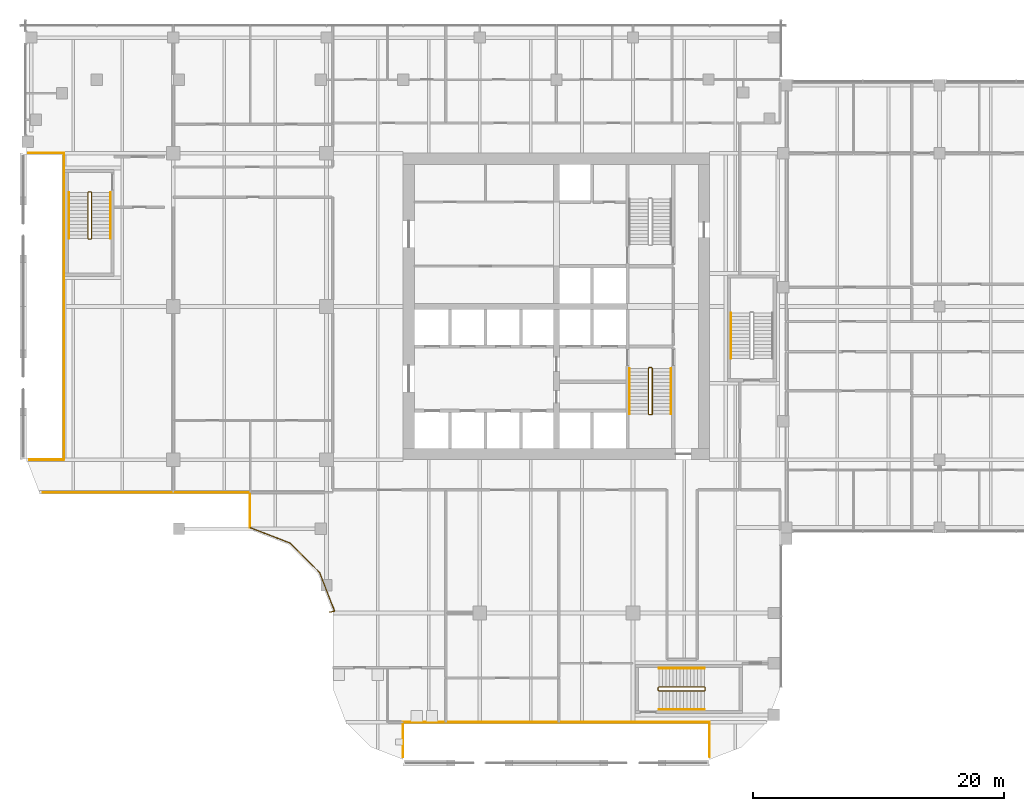
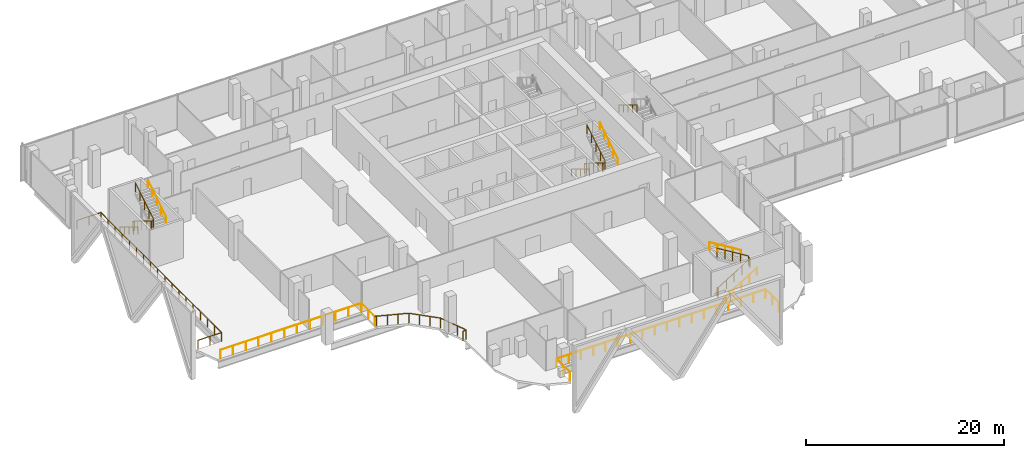
# One storey, part 31 of 33: 14 railings.
"""IFC4 building model written with IfcOpenShell, lengths in metres."""

from ifc_helpers import new_model, si_unit, direction, frame, origin, origin_2d, place, context, subcontext, project, spatial, circle, extrude, material, type_object, element, save


model = new_model("IFC4")

# Units and contexts
model_context = context("Model", 3, precision=1e-05, world=origin(), true_north=direction((0.0, 1.0)))
body_context = subcontext(model_context, "Body", "Model", "MODEL_VIEW")
ifc_project = project(units=[si_unit("LENGTHUNIT", "METRE"), si_unit("AREAUNIT", "SQUARE_METRE"), si_unit("VOLUMEUNIT", "CUBIC_METRE"), si_unit("PLANEANGLEUNIT", "RADIAN"), si_unit("MASSUNIT", "GRAM", prefix="KILO")], contexts=[model_context])

# Site, building, storey
site_placement = place(None, origin())
site = spatial("IfcSite", under=ifc_project, at=site_placement, CompositionType="ELEMENT")
building_placement = place(site_placement, origin())
building = spatial("IfcBuilding", under=site, at=building_placement, Name="Tessera Gate Towers", CompositionType="ELEMENT")
storey_placement = place(building_placement, frame((0.0, 0.0, 12.0)))
storey = spatial("IfcBuildingStorey", under=building, at=storey_placement, Name="L02", CompositionType="ELEMENT", Elevation=12.0)

# Railings
ifc_material_1 = material(Name="Stainless steel balustrade", Category="steel")
railing_type_1 = type_object("IfcRailingType", Name="GR1 guard rail", PredefinedType="GUARDRAIL", material=ifc_material_1)
railing_1_placement = place(storey_placement, frame((18.300048828125, 19.0, 0.0)))
element("IfcRailing", 1, at=railing_1_placement, inside=storey, type_object=railing_type_1, Name="Guard T1 GR-0015", PredefinedType="GUARDRAIL", context=body_context, shape_type="SweptSolid", body=[
    extrude(circle(Radius=0.02490234375, at=origin_2d()), frame((0.0, 0.0, 1.1748046875), z_axis=(0.925693852257, -0.378273567533, 0.0), x_axis=(0.378273567533, 0.925693852257, 0.0)), (0.0, 0.0, 1.0), 0.15869140625),
    extrude(circle(Radius=0.02490234375, at=origin_2d()), frame((0.14697265625, -0.06005859375, 1.1748046875), z_axis=(0.932626284153, -0.360843753039, 0.0), x_axis=(0.360843753039, 0.932626284153, 0.0)), (0.0, 0.0, 1.0), 3.280029296875),
    extrude(circle(Radius=0.02490234375, at=origin_2d()), frame((3.2060546875, -1.24365234375, 1.1748046875), z_axis=(0.707106781187, -0.707106781187, 0.0), x_axis=(0.707106781187, 0.707106781187, 0.0)), (0.0, 0.0, 1.0), 3.323974609375),
    extrude(circle(Radius=0.02490234375, at=origin_2d()), frame((5.556396484375, -3.593994140625, 1.1748046875), z_axis=(0.360868803245, -0.932616591555, 0.0), x_axis=(0.932616591555, 0.360868803245, 0.0)), (0.0, 0.0, 1.0), 3.27978515625),
    extrude(circle(Radius=0.02490234375, at=origin_2d()), frame((6.739990234375, -6.65283203125, 1.1748046875), z_axis=(-0.97933582238, -0.202240814384, 0.0), x_axis=(0.202240814384, -0.97933582238, 0.0)), (0.0, 0.0, 1.0), 0.3984375),
    extrude(circle(Radius=0.02490234375, at=origin_2d()), origin(), (0.0, 0.0, 1.0), 1.14990234375),
    extrude(circle(Radius=0.02490234375, at=origin_2d()), frame((0.14697265625, -0.06005859375, 0.0)), (0.0, 0.0, 1.0), 1.14990234375),
    extrude(circle(Radius=0.02490234375, at=origin_2d()), frame((1.166748046875, -0.45458984375, 0.0)), (0.0, 0.0, 1.0), 1.14990234375),
    extrude(circle(Radius=0.02490234375, at=origin_2d()), frame((2.186279296875, -0.84912109375, 0.0)), (0.0, 0.0, 1.0), 1.14990234375),
    extrude(circle(Radius=0.02490234375, at=origin_2d()), frame((3.2060546875, -1.24365234375, 0.0)), (0.0, 0.0, 1.0), 1.14990234375),
    extrude(circle(Radius=0.02490234375, at=origin_2d()), frame((3.989501953125, -2.027099609375, 0.0)), (0.0, 0.0, 1.0), 1.14990234375),
    extrude(circle(Radius=0.02490234375, at=origin_2d()), frame((4.77294921875, -2.810546875, 0.0)), (0.0, 0.0, 1.0), 1.14990234375),
    extrude(circle(Radius=0.02490234375, at=origin_2d()), frame((5.556396484375, -3.593994140625, 0.0)), (0.0, 0.0, 1.0), 1.14990234375),
    extrude(circle(Radius=0.02490234375, at=origin_2d()), frame((5.950927734375, -4.613525390625, 0.0)), (0.0, 0.0, 1.0), 1.14990234375),
    extrude(circle(Radius=0.02490234375, at=origin_2d()), frame((6.345458984375, -5.63330078125, 0.0)), (0.0, 0.0, 1.0), 1.14990234375),
    extrude(circle(Radius=0.02490234375, at=origin_2d()), frame((6.739990234375, -6.65283203125, 0.0)), (0.0, 0.0, 1.0), 1.14990234375),
    extrude(circle(Radius=0.02490234375, at=origin_2d()), frame((6.349853515625, -6.7333984375, 0.0)), (0.0, 0.0, 1.0), 1.14990234375),
])
ifc_material_2 = material(Name="Toughened glass with stainless steel handrail", Category="steel")
railing_type_2 = type_object("IfcRailingType", Name="GUARD 1100 GLASS BALUSTRADE", PredefinedType="GUARDRAIL", material=ifc_material_2)
railing_2_placement = place(storey_placement, frame((0.750244140625, 24.39990234375, 0.0)))
element("IfcRailing", 2, at=railing_2_placement, inside=storey, type_object=railing_type_2, Name="Guard", PredefinedType="GUARDRAIL", context=body_context, shape_type="SweptSolid", body=[
    extrude(circle(Radius=0.02490234375, at=origin_2d()), frame((0.0, 0.0, 1.0751953125), z_axis=(1.0, 0.0, 0.0), x_axis=(0.0, 1.0, 0.0)), (0.0, 0.0, 1.0), 2.749755859375),
    extrude(circle(Radius=0.02490234375, at=origin_2d()), frame((2.749755859375, 0.0, 1.0751953125), z_axis=(0.0, 1.0, 0.0), x_axis=(-1.0, 0.0, 0.0)), (0.0, 0.0, 1.0), 24.400146484375),
    extrude(circle(Radius=0.02490234375, at=origin_2d()), frame((2.749755859375, 24.400146484375, 1.0751953125), z_axis=(-1.0, 0.0, 0.0), x_axis=(0.0, -1.0, 0.0)), (0.0, 0.0, 1.0), 2.800048828125),
    extrude(circle(Radius=0.02490234375, at=origin_2d()), origin(), (0.0, 0.0, 1.0), 1.050048828125),
    extrude(circle(Radius=0.02490234375, at=origin_2d()), frame((1.375, 0.0, 0.0)), (0.0, 0.0, 1.0), 1.050048828125),
    extrude(circle(Radius=0.02490234375, at=origin_2d()), frame((2.749755859375, 0.0, 0.0)), (0.0, 0.0, 1.0), 1.050048828125),
    extrude(circle(Radius=0.02490234375, at=origin_2d()), frame((2.749755859375, 1.435302734375, 0.0)), (0.0, 0.0, 1.0), 1.050048828125),
    extrude(circle(Radius=0.02490234375, at=origin_2d()), frame((2.749755859375, 2.87060546875, 0.0)), (0.0, 0.0, 1.0), 1.050048828125),
    extrude(circle(Radius=0.02490234375, at=origin_2d()), frame((2.749755859375, 4.305908203125, 0.0)), (0.0, 0.0, 1.0), 1.050048828125),
    extrude(circle(Radius=0.02490234375, at=origin_2d()), frame((2.749755859375, 5.7412109375, 0.0)), (0.0, 0.0, 1.0), 1.050048828125),
    extrude(circle(Radius=0.02490234375, at=origin_2d()), frame((2.749755859375, 7.176513671875, 0.0)), (0.0, 0.0, 1.0), 1.050048828125),
    extrude(circle(Radius=0.02490234375, at=origin_2d()), frame((2.749755859375, 8.61181640625, 0.0)), (0.0, 0.0, 1.0), 1.050048828125),
    extrude(circle(Radius=0.02490234375, at=origin_2d()), frame((2.749755859375, 10.047119140625, 0.0)), (0.0, 0.0, 1.0), 1.050048828125),
    extrude(circle(Radius=0.02490234375, at=origin_2d()), frame((2.749755859375, 11.482421875, 0.0)), (0.0, 0.0, 1.0), 1.050048828125),
    extrude(circle(Radius=0.02490234375, at=origin_2d()), frame((2.749755859375, 12.917724609375, 0.0)), (0.0, 0.0, 1.0), 1.050048828125),
    extrude(circle(Radius=0.02490234375, at=origin_2d()), frame((2.749755859375, 14.35302734375, 0.0)), (0.0, 0.0, 1.0), 1.050048828125),
    extrude(circle(Radius=0.02490234375, at=origin_2d()), frame((2.749755859375, 15.788330078125, 0.0)), (0.0, 0.0, 1.0), 1.050048828125),
    extrude(circle(Radius=0.02490234375, at=origin_2d()), frame((2.749755859375, 17.2236328125, 0.0)), (0.0, 0.0, 1.0), 1.050048828125),
    extrude(circle(Radius=0.02490234375, at=origin_2d()), frame((2.749755859375, 18.658935546875, 0.0)), (0.0, 0.0, 1.0), 1.050048828125),
    extrude(circle(Radius=0.02490234375, at=origin_2d()), frame((2.749755859375, 20.09423828125, 0.0)), (0.0, 0.0, 1.0), 1.050048828125),
    extrude(circle(Radius=0.02490234375, at=origin_2d()), frame((2.749755859375, 21.529541015625, 0.0)), (0.0, 0.0, 1.0), 1.050048828125),
    extrude(circle(Radius=0.02490234375, at=origin_2d()), frame((2.749755859375, 22.96484375, 0.0)), (0.0, 0.0, 1.0), 1.050048828125),
    extrude(circle(Radius=0.02490234375, at=origin_2d()), frame((2.749755859375, 24.400146484375, 0.0)), (0.0, 0.0, 1.0), 1.050048828125),
    extrude(circle(Radius=0.02490234375, at=origin_2d()), frame((1.349609375, 24.400146484375, 0.0)), (0.0, 0.0, 1.0), 1.050048828125),
    extrude(circle(Radius=0.02490234375, at=origin_2d()), frame((-0.05029296875, 24.400146484375, 0.0)), (0.0, 0.0, 1.0), 1.050048828125),
])
railing_3_placement = place(storey_placement, frame((18.300048828125, 19.0, 0.0)))
element("IfcRailing", 3, at=railing_3_placement, inside=storey, type_object=railing_type_2, Name="Guard", PredefinedType="GUARDRAIL", context=body_context, shape_type="SweptSolid", body=[
    extrude(circle(Radius=0.02490234375, at=origin_2d()), frame((0.0, 0.0, 1.0751953125), z_axis=(0.0, 1.0, 0.0), x_axis=(-1.0, 0.0, 0.0)), (0.0, 0.0, 1.0), 2.800048828125),
    extrude(circle(Radius=0.02490234375, at=origin_2d()), frame((0.0, 2.800048828125, 1.0751953125), z_axis=(-1.0, 0.0, 0.0), x_axis=(0.0, -1.0, 0.0)), (0.0, 0.0, 1.0), 16.4580078125),
    extrude(circle(Radius=0.02490234375, at=origin_2d()), origin(), (0.0, 0.0, 1.0), 1.050048828125),
    extrude(circle(Radius=0.02490234375, at=origin_2d()), frame((0.0, 1.39990234375, 0.0)), (0.0, 0.0, 1.0), 1.050048828125),
    extrude(circle(Radius=0.02490234375, at=origin_2d()), frame((0.0, 2.800048828125, 0.0)), (0.0, 0.0, 1.0), 1.050048828125),
    extrude(circle(Radius=0.02490234375, at=origin_2d()), frame((-1.49609375, 2.800048828125, 0.0)), (0.0, 0.0, 1.0), 1.050048828125),
    extrude(circle(Radius=0.02490234375, at=origin_2d()), frame((-2.992431640625, 2.800048828125, 0.0)), (0.0, 0.0, 1.0), 1.050048828125),
    extrude(circle(Radius=0.02490234375, at=origin_2d()), frame((-4.488525390625, 2.800048828125, 0.0)), (0.0, 0.0, 1.0), 1.050048828125),
    extrude(circle(Radius=0.02490234375, at=origin_2d()), frame((-5.984619140625, 2.800048828125, 0.0)), (0.0, 0.0, 1.0), 1.050048828125),
    extrude(circle(Radius=0.02490234375, at=origin_2d()), frame((-7.48095703125, 2.800048828125, 0.0)), (0.0, 0.0, 1.0), 1.050048828125),
    extrude(circle(Radius=0.02490234375, at=origin_2d()), frame((-8.97705078125, 2.800048828125, 0.0)), (0.0, 0.0, 1.0), 1.050048828125),
    extrude(circle(Radius=0.02490234375, at=origin_2d()), frame((-10.473388671875, 2.800048828125, 0.0)), (0.0, 0.0, 1.0), 1.050048828125),
    extrude(circle(Radius=0.02490234375, at=origin_2d()), frame((-11.969482421875, 2.800048828125, 0.0)), (0.0, 0.0, 1.0), 1.050048828125),
    extrude(circle(Radius=0.02490234375, at=origin_2d()), frame((-13.465576171875, 2.800048828125, 0.0)), (0.0, 0.0, 1.0), 1.050048828125),
    extrude(circle(Radius=0.02490234375, at=origin_2d()), frame((-14.9619140625, 2.800048828125, 0.0)), (0.0, 0.0, 1.0), 1.050048828125),
    extrude(circle(Radius=0.02490234375, at=origin_2d()), frame((-16.4580078125, 2.800048828125, 0.0)), (0.0, 0.0, 1.0), 1.050048828125),
])
railing_4_placement = place(storey_placement, frame((54.89990234375, 0.750244140625, 0.0)))
element("IfcRailing", 4, at=railing_4_placement, inside=storey, type_object=railing_type_2, Name="Guard", PredefinedType="GUARDRAIL", context=body_context, shape_type="SweptSolid", body=[
    extrude(circle(Radius=0.02490234375, at=origin_2d()), frame((0.0, 0.0, 1.0751953125), z_axis=(0.0, 1.0, 0.0), x_axis=(-1.0, 0.0, 0.0)), (0.0, 0.0, 1.0), 2.749755859375),
    extrude(circle(Radius=0.02490234375, at=origin_2d()), frame((0.0, 2.749755859375, 1.0751953125), z_axis=(-1.0, 0.0, 0.0), x_axis=(0.0, -1.0, 0.0)), (0.0, 0.0, 1.0), 24.39990234375),
    extrude(circle(Radius=0.02490234375, at=origin_2d()), frame((-24.39990234375, 2.749755859375, 1.0751953125), z_axis=(0.0, -1.0, 0.0), x_axis=(1.0, 0.0, 0.0)), (0.0, 0.0, 1.0), 2.749755859375),
    extrude(circle(Radius=0.02490234375, at=origin_2d()), origin(), (0.0, 0.0, 1.0), 1.050048828125),
    extrude(circle(Radius=0.02490234375, at=origin_2d()), frame((0.0, 1.375, 0.0)), (0.0, 0.0, 1.0), 1.050048828125),
    extrude(circle(Radius=0.02490234375, at=origin_2d()), frame((0.0, 2.749755859375, 0.0)), (0.0, 0.0, 1.0), 1.050048828125),
    extrude(circle(Radius=0.02490234375, at=origin_2d()), frame((-1.435302734375, 2.749755859375, 0.0)), (0.0, 0.0, 1.0), 1.050048828125),
    extrude(circle(Radius=0.02490234375, at=origin_2d()), frame((-2.87060546875, 2.749755859375, 0.0)), (0.0, 0.0, 1.0), 1.050048828125),
    extrude(circle(Radius=0.02490234375, at=origin_2d()), frame((-4.305908203125, 2.749755859375, 0.0)), (0.0, 0.0, 1.0), 1.050048828125),
    extrude(circle(Radius=0.02490234375, at=origin_2d()), frame((-5.7412109375, 2.749755859375, 0.0)), (0.0, 0.0, 1.0), 1.050048828125),
    extrude(circle(Radius=0.02490234375, at=origin_2d()), frame((-7.176513671875, 2.749755859375, 0.0)), (0.0, 0.0, 1.0), 1.050048828125),
    extrude(circle(Radius=0.02490234375, at=origin_2d()), frame((-8.61181640625, 2.749755859375, 0.0)), (0.0, 0.0, 1.0), 1.050048828125),
    extrude(circle(Radius=0.02490234375, at=origin_2d()), frame((-10.047119140625, 2.749755859375, 0.0)), (0.0, 0.0, 1.0), 1.050048828125),
    extrude(circle(Radius=0.02490234375, at=origin_2d()), frame((-11.482421875, 2.749755859375, 0.0)), (0.0, 0.0, 1.0), 1.050048828125),
    extrude(circle(Radius=0.02490234375, at=origin_2d()), frame((-12.91748046875, 2.749755859375, 0.0)), (0.0, 0.0, 1.0), 1.050048828125),
    extrude(circle(Radius=0.02490234375, at=origin_2d()), frame((-14.352783203125, 2.749755859375, 0.0)), (0.0, 0.0, 1.0), 1.050048828125),
    extrude(circle(Radius=0.02490234375, at=origin_2d()), frame((-15.7880859375, 2.749755859375, 0.0)), (0.0, 0.0, 1.0), 1.050048828125),
    extrude(circle(Radius=0.02490234375, at=origin_2d()), frame((-17.223388671875, 2.749755859375, 0.0)), (0.0, 0.0, 1.0), 1.050048828125),
    extrude(circle(Radius=0.02490234375, at=origin_2d()), frame((-18.65869140625, 2.749755859375, 0.0)), (0.0, 0.0, 1.0), 1.050048828125),
    extrude(circle(Radius=0.02490234375, at=origin_2d()), frame((-20.093994140625, 2.749755859375, 0.0)), (0.0, 0.0, 1.0), 1.050048828125),
    extrude(circle(Radius=0.02490234375, at=origin_2d()), frame((-21.529296875, 2.749755859375, 0.0)), (0.0, 0.0, 1.0), 1.050048828125),
    extrude(circle(Radius=0.02490234375, at=origin_2d()), frame((-22.964599609375, 2.749755859375, 0.0)), (0.0, 0.0, 1.0), 1.050048828125),
    extrude(circle(Radius=0.02490234375, at=origin_2d()), frame((-24.39990234375, 2.749755859375, 0.0)), (0.0, 0.0, 1.0), 1.050048828125),
    extrude(circle(Radius=0.02490234375, at=origin_2d()), frame((-24.39990234375, 1.375, 0.0)), (0.0, 0.0, 1.0), 1.050048828125),
    extrude(circle(Radius=0.02490234375, at=origin_2d()), frame((-24.39990234375, 0.0, 0.0)), (0.0, 0.0, 1.0), 1.050048828125),
])
ifc_material_3 = material(Name="Steel 350W", Category="steel")
railing_type_3 = type_object("IfcRailingType", Name="STAIR GUARD 1100", PredefinedType="GUARDRAIL", material=ifc_material_3)
railing_5_placement = place(storey_placement, frame((50.27490234375, 31.72509765625, 0.0)))
element("IfcRailing", 5, at=railing_5_placement, inside=storey, type_object=railing_type_3, Name="L02 ST1 stair guard 1", PredefinedType="GUARDRAIL", context=body_context, shape_type="SweptSolid", body=[
    extrude(circle(Radius=0.02392578125, at=origin_2d()), frame((0.0, 0.0, 1.076171875), z_axis=(-1.0, 0.0, 0.0), x_axis=(0.0, -1.0, 0.0)), (0.0, 0.0, 1.0), 0.199951171875),
    extrude(circle(Radius=0.02392578125, at=origin_2d()), frame((-0.199951171875, 0.0, 1.076171875), z_axis=(-0.269911200495, -0.269911200495, 0.924281281696), x_axis=(0.707106781187, -0.707106781187, 0.0)), (0.0, 0.0, 1.0), 0.185546875),
    extrude(circle(Radius=0.02392578125, at=origin_2d()), frame((-0.25, -0.050048828125, 1.24755859375), z_axis=(0.0, -0.852865859571, 0.52213008492), x_axis=(1.0, 0.0, 0.0)), (0.0, 0.0, 1.0), 4.26806640625),
    extrude(circle(Radius=0.02392578125, at=origin_2d()), frame((-0.25, -3.690185546875, 3.47607421875), z_axis=(0.708833529934, -0.705375805398, 0.0), x_axis=(0.705375805398, 0.708833529934, 0.0)), (0.0, 0.0, 1.0), 0.070556640625),
    extrude(circle(Radius=0.02392578125, at=origin_2d()), frame((-0.199951171875, -3.739990234375, 3.47607421875), z_axis=(1.0, 0.0, 0.0), x_axis=(0.0, 1.0, 0.0)), (0.0, 0.0, 1.0), 0.199951171875),
    extrude(circle(Radius=0.02392578125, at=origin_2d()), frame((0.0, -3.739990234375, 3.47607421875), z_axis=(0.269678486558, 0.268362981746, 0.924799883173), x_axis=(-0.705375805398, 0.708833529934, 0.0)), (0.0, 0.0, 1.0), 0.185546875),
    extrude(circle(Radius=0.02392578125, at=origin_2d()), frame((0.050048828125, -3.690185546875, 3.6474609375), z_axis=(0.0, 0.852865859571, 0.52213008492), x_axis=(-1.0, 0.0, 0.0)), (0.0, 0.0, 1.0), 4.26806640625),
    extrude(circle(Radius=0.02099609375, at=origin_2d()), origin(), (0.0, 0.0, 1.0), 1.052001953125),
    extrude(circle(Radius=0.02099609375, at=origin_2d()), frame((-0.199951171875, 0.0, 0.0)), (0.0, 0.0, 1.0), 1.052001953125),
    extrude(circle(Radius=0.02099609375, at=origin_2d()), frame((-0.25, -0.050048828125, 0.17138671875)), (0.0, 0.0, 1.0), 1.052001953125),
    extrude(circle(Radius=0.02099609375, at=origin_2d()), frame((-0.25, -0.9599609375, 0.728515625)), (0.0, 0.0, 1.0), 1.052001953125),
    extrude(circle(Radius=0.02099609375, at=origin_2d()), frame((-0.25, -1.8701171875, 1.28564453125)), (0.0, 0.0, 1.0), 1.052001953125),
    extrude(circle(Radius=0.02099609375, at=origin_2d()), frame((-0.25, -2.7802734375, 1.8427734375)), (0.0, 0.0, 1.0), 1.052001953125),
    extrude(circle(Radius=0.02099609375, at=origin_2d()), frame((-0.25, -3.690185546875, 2.39990234375)), (0.0, 0.0, 1.0), 1.052001953125),
    extrude(circle(Radius=0.02099609375, at=origin_2d()), frame((-0.199951171875, -3.739990234375, 2.39990234375)), (0.0, 0.0, 1.0), 1.052001953125),
    extrude(circle(Radius=0.02099609375, at=origin_2d()), frame((0.0, -3.739990234375, 2.39990234375)), (0.0, 0.0, 1.0), 1.052001953125),
    extrude(circle(Radius=0.02099609375, at=origin_2d()), frame((0.050048828125, -3.690185546875, 2.571533203125)), (0.0, 0.0, 1.0), 1.052001953125),
    extrude(circle(Radius=0.02099609375, at=origin_2d()), frame((0.050048828125, -2.7802734375, 3.128662109375)), (0.0, 0.0, 1.0), 1.052001953125),
    extrude(circle(Radius=0.02099609375, at=origin_2d()), frame((0.050048828125, -1.8701171875, 3.685791015625)), (0.0, 0.0, 1.0), 1.052001953125),
    extrude(circle(Radius=0.02099609375, at=origin_2d()), frame((0.050048828125, -0.9599609375, 4.242919921875)), (0.0, 0.0, 1.0), 1.052001953125),
    extrude(circle(Radius=0.02099609375, at=origin_2d()), frame((0.050048828125, -0.050048828125, 4.800048828125)), (0.0, 0.0, 1.0), 1.052001953125),
])
railing_6_placement = place(storey_placement, frame((5.64990234375, 45.699951171875, 0.0)))
element("IfcRailing", 6, at=railing_6_placement, inside=storey, type_object=railing_type_3, Name="L02 ST3 stair guard 1", PredefinedType="GUARDRAIL", context=body_context, shape_type="SweptSolid", body=[
    extrude(circle(Radius=0.02392578125, at=origin_2d()), frame((0.0, 0.0, 1.076171875), z_axis=(-1.0, 0.0, 0.0), x_axis=(0.0, -1.0, 0.0)), (0.0, 0.0, 1.0), 0.199951171875),
    extrude(circle(Radius=0.02392578125, at=origin_2d()), frame((-0.199951171875, 0.0, 1.076171875), z_axis=(-0.269911200495, -0.269911200495, 0.924281281696), x_axis=(0.707106781187, -0.707106781187, 0.0)), (0.0, 0.0, 1.0), 0.185546875),
    extrude(circle(Radius=0.02392578125, at=origin_2d()), frame((-0.25, -0.050048828125, 1.24755859375), z_axis=(0.0, -0.852850264322, 0.5221555579), x_axis=(1.0, 0.0, 0.0)), (0.0, 0.0, 1.0), 4.267822265625),
    extrude(circle(Radius=0.02392578125, at=origin_2d()), frame((-0.25, -3.68994140625, 3.47607421875), z_axis=(0.707106781187, -0.707106781187, 0.0), x_axis=(0.707106781187, 0.707106781187, 0.0)), (0.0, 0.0, 1.0), 0.07080078125),
    extrude(circle(Radius=0.02392578125, at=origin_2d()), frame((-0.199951171875, -3.739990234375, 3.47607421875), z_axis=(1.0, 0.0, 0.0), x_axis=(0.0, 1.0, 0.0)), (0.0, 0.0, 1.0), 0.199951171875),
    extrude(circle(Radius=0.02392578125, at=origin_2d()), frame((0.0, -3.739990234375, 3.47607421875), z_axis=(0.269583098496, 0.269583098496, 0.924472771914), x_axis=(-0.707106781187, 0.707106781187, 0.0)), (0.0, 0.0, 1.0), 0.185546875),
    extrude(circle(Radius=0.02392578125, at=origin_2d()), frame((0.050048828125, -3.68994140625, 3.6474609375), z_axis=(0.0, 0.852850264322, 0.5221555579), x_axis=(-1.0, 0.0, 0.0)), (0.0, 0.0, 1.0), 4.267822265625),
    extrude(circle(Radius=0.02099609375, at=origin_2d()), origin(), (0.0, 0.0, 1.0), 1.052001953125),
    extrude(circle(Radius=0.02099609375, at=origin_2d()), frame((-0.199951171875, 0.0, 0.0)), (0.0, 0.0, 1.0), 1.052001953125),
    extrude(circle(Radius=0.02099609375, at=origin_2d()), frame((-0.25, -0.050048828125, 0.17138671875)), (0.0, 0.0, 1.0), 1.052001953125),
    extrude(circle(Radius=0.02099609375, at=origin_2d()), frame((-0.25, -0.9599609375, 0.728515625)), (0.0, 0.0, 1.0), 1.052001953125),
    extrude(circle(Radius=0.02099609375, at=origin_2d()), frame((-0.25, -1.8701171875, 1.28564453125)), (0.0, 0.0, 1.0), 1.052001953125),
    extrude(circle(Radius=0.02099609375, at=origin_2d()), frame((-0.25, -2.780029296875, 1.8427734375)), (0.0, 0.0, 1.0), 1.052001953125),
    extrude(circle(Radius=0.02099609375, at=origin_2d()), frame((-0.25, -3.68994140625, 2.39990234375)), (0.0, 0.0, 1.0), 1.052001953125),
    extrude(circle(Radius=0.02099609375, at=origin_2d()), frame((-0.199951171875, -3.739990234375, 2.39990234375)), (0.0, 0.0, 1.0), 1.052001953125),
    extrude(circle(Radius=0.02099609375, at=origin_2d()), frame((0.0, -3.739990234375, 2.39990234375)), (0.0, 0.0, 1.0), 1.052001953125),
    extrude(circle(Radius=0.02099609375, at=origin_2d()), frame((0.050048828125, -3.68994140625, 2.571533203125)), (0.0, 0.0, 1.0), 1.052001953125),
    extrude(circle(Radius=0.02099609375, at=origin_2d()), frame((0.050048828125, -2.780029296875, 3.128662109375)), (0.0, 0.0, 1.0), 1.052001953125),
    extrude(circle(Radius=0.02099609375, at=origin_2d()), frame((0.050048828125, -1.8701171875, 3.685791015625)), (0.0, 0.0, 1.0), 1.052001953125),
    extrude(circle(Radius=0.02099609375, at=origin_2d()), frame((0.050048828125, -0.9599609375, 4.242919921875)), (0.0, 0.0, 1.0), 1.052001953125),
    extrude(circle(Radius=0.02099609375, at=origin_2d()), frame((0.050048828125, -0.050048828125, 4.800048828125)), (0.0, 0.0, 1.0), 1.052001953125),
])
railing_7_placement = place(storey_placement, frame((50.800048828125, 6.25, 0.0)))
element("IfcRailing", 7, at=railing_7_placement, inside=storey, type_object=railing_type_3, Name="L02 ST4 stair guard 1", PredefinedType="GUARDRAIL", context=body_context, shape_type="SweptSolid", body=[
    extrude(circle(Radius=0.02392578125, at=origin_2d()), frame((0.0, 0.0, 1.076171875), z_axis=(0.0, -1.0, 0.0), x_axis=(1.0, 0.0, 0.0)), (0.0, 0.0, 1.0), 0.199951171875),
    extrude(circle(Radius=0.02392578125, at=origin_2d()), frame((0.0, -0.199951171875, 1.076171875), z_axis=(0.269911200495, -0.269911200495, 0.924281281696), x_axis=(0.707106781187, 0.707106781187, 0.0)), (0.0, 0.0, 1.0), 0.185546875),
    extrude(circle(Radius=0.02392578125, at=origin_2d()), frame((0.050048828125, -0.25, 1.24755859375), z_axis=(0.852850264322, 0.0, 0.5221555579), x_axis=(0.0, 1.0, 0.0)), (0.0, 0.0, 1.0), 4.267822265625),
    extrude(circle(Radius=0.02392578125, at=origin_2d()), frame((3.68994140625, -0.25, 3.47607421875), z_axis=(0.707106781187, 0.707106781187, 0.0), x_axis=(-0.707106781187, 0.707106781187, 0.0)), (0.0, 0.0, 1.0), 0.07080078125),
    extrude(circle(Radius=0.02392578125, at=origin_2d()), frame((3.739990234375, -0.199951171875, 3.47607421875), z_axis=(0.0, 1.0, 0.0), x_axis=(-1.0, 0.0, 0.0)), (0.0, 0.0, 1.0), 0.199951171875),
    extrude(circle(Radius=0.02392578125, at=origin_2d()), frame((3.739990234375, 0.0, 3.47607421875), z_axis=(-0.269583098496, 0.269583098496, 0.924472771914), x_axis=(-0.707106781187, -0.707106781187, 0.0)), (0.0, 0.0, 1.0), 0.185546875),
    extrude(circle(Radius=0.02392578125, at=origin_2d()), frame((3.68994140625, 0.050048828125, 3.6474609375), z_axis=(-0.852850264322, 0.0, 0.5221555579), x_axis=(0.0, -1.0, 0.0)), (0.0, 0.0, 1.0), 4.267822265625),
    extrude(circle(Radius=0.02099609375, at=origin_2d()), origin(), (0.0, 0.0, 1.0), 1.052001953125),
    extrude(circle(Radius=0.02099609375, at=origin_2d()), frame((0.0, -0.199951171875, 0.0)), (0.0, 0.0, 1.0), 1.052001953125),
    extrude(circle(Radius=0.02099609375, at=origin_2d()), frame((0.050048828125, -0.25, 0.17138671875)), (0.0, 0.0, 1.0), 1.052001953125),
    extrude(circle(Radius=0.02099609375, at=origin_2d()), frame((0.9599609375, -0.25, 0.728515625)), (0.0, 0.0, 1.0), 1.052001953125),
    extrude(circle(Radius=0.02099609375, at=origin_2d()), frame((1.8701171875, -0.25, 1.28564453125)), (0.0, 0.0, 1.0), 1.052001953125),
    extrude(circle(Radius=0.02099609375, at=origin_2d()), frame((2.780029296875, -0.25, 1.8427734375)), (0.0, 0.0, 1.0), 1.052001953125),
    extrude(circle(Radius=0.02099609375, at=origin_2d()), frame((3.68994140625, -0.25, 2.39990234375)), (0.0, 0.0, 1.0), 1.052001953125),
    extrude(circle(Radius=0.02099609375, at=origin_2d()), frame((3.739990234375, -0.199951171875, 2.39990234375)), (0.0, 0.0, 1.0), 1.052001953125),
    extrude(circle(Radius=0.02099609375, at=origin_2d()), frame((3.739990234375, 0.0, 2.39990234375)), (0.0, 0.0, 1.0), 1.052001953125),
    extrude(circle(Radius=0.02099609375, at=origin_2d()), frame((3.68994140625, 0.050048828125, 2.571533203125)), (0.0, 0.0, 1.0), 1.052001953125),
    extrude(circle(Radius=0.02099609375, at=origin_2d()), frame((2.780029296875, 0.050048828125, 3.128662109375)), (0.0, 0.0, 1.0), 1.052001953125),
    extrude(circle(Radius=0.02099609375, at=origin_2d()), frame((1.8701171875, 0.050048828125, 3.685791015625)), (0.0, 0.0, 1.0), 1.052001953125),
    extrude(circle(Radius=0.02099609375, at=origin_2d()), frame((0.9599609375, 0.050048828125, 4.242919921875)), (0.0, 0.0, 1.0), 1.052001953125),
    extrude(circle(Radius=0.02099609375, at=origin_2d()), frame((0.050048828125, 0.050048828125, 4.800048828125)), (0.0, 0.0, 1.0), 1.052001953125),
])
ifc_material_4 = material(Name="Steel 350W", Category="steel")
railing_type_4 = type_object("IfcRailingType", Name="STAIR HANDRAIL 900", PredefinedType="HANDRAIL", material=ifc_material_4)
railing_8_placement = place(storey_placement, frame((48.52490234375, 31.675048828125, 0.17138671875)))
element("IfcRailing", 8, at=railing_8_placement, inside=storey, type_object=railing_type_4, Name="L02 ST1 stair handrail 1", PredefinedType="HANDRAIL", context=body_context, shape_type="SweptSolid", body=[
    extrude(circle(Radius=0.02392578125, at=origin_2d()), frame((0.0, 0.0, 0.8759765625), z_axis=(0.0, -0.852865859571, 0.52213008492), x_axis=(1.0, 0.0, 0.0)), (0.0, 0.0, 1.0), 4.26806640625),
    extrude(circle(Radius=0.02099609375, at=origin_2d()), origin(), (0.0, 0.0, 1.0), 0.851806640625),
    extrude(circle(Radius=0.02099609375, at=origin_2d()), frame((0.0, -0.91015625, 0.55712890625)), (0.0, 0.0, 1.0), 0.851806640625),
    extrude(circle(Radius=0.02099609375, at=origin_2d()), frame((0.0, -1.820068359375, 1.1142578125)), (0.0, 0.0, 1.0), 0.851806640625),
    extrude(circle(Radius=0.02099609375, at=origin_2d()), frame((0.0, -2.72998046875, 1.67138671875)), (0.0, 0.0, 1.0), 0.851806640625),
    extrude(circle(Radius=0.02099609375, at=origin_2d()), frame((0.0, -3.64013671875, 2.228515625)), (0.0, 0.0, 1.0), 0.851806640625),
])
railing_9_placement = place(storey_placement, frame((51.824951171875, 28.034912109375, 2.571533203125)))
element("IfcRailing", 9, at=railing_9_placement, inside=storey, type_object=railing_type_4, Name="L02 ST1 stair handrail 2", PredefinedType="HANDRAIL", context=body_context, shape_type="SweptSolid", body=[
    extrude(circle(Radius=0.02392578125, at=origin_2d()), frame((0.0, 0.0, 0.8759765625), z_axis=(0.0, 0.852865859571, 0.52213008492), x_axis=(-1.0, 0.0, 0.0)), (0.0, 0.0, 1.0), 4.26806640625),
    extrude(circle(Radius=0.02099609375, at=origin_2d()), origin(), (0.0, 0.0, 1.0), 0.851806640625),
    extrude(circle(Radius=0.02099609375, at=origin_2d()), frame((0.0, 0.91015625, 0.55712890625)), (0.0, 0.0, 1.0), 0.851806640625),
    extrude(circle(Radius=0.02099609375, at=origin_2d()), frame((0.0, 1.820068359375, 1.1142578125)), (0.0, 0.0, 1.0), 0.851806640625),
    extrude(circle(Radius=0.02099609375, at=origin_2d()), frame((0.0, 2.72998046875, 1.67138671875)), (0.0, 0.0, 1.0), 0.851806640625),
    extrude(circle(Radius=0.02099609375, at=origin_2d()), frame((0.0, 3.64013671875, 2.228515625)), (0.0, 0.0, 1.0), 0.851806640625),
])
railing_10_placement = place(storey_placement, frame((3.89990234375, 45.64990234375, 0.17138671875)))
element("IfcRailing", 10, at=railing_10_placement, inside=storey, type_object=railing_type_4, Name="L02 ST3 stair handrail 1", PredefinedType="HANDRAIL", context=body_context, shape_type="SweptSolid", body=[
    extrude(circle(Radius=0.02392578125, at=origin_2d()), frame((0.0, 0.0, 0.8759765625), z_axis=(0.0, -0.852850264322, 0.5221555579), x_axis=(1.0, 0.0, 0.0)), (0.0, 0.0, 1.0), 4.267822265625),
    extrude(circle(Radius=0.02099609375, at=origin_2d()), origin(), (0.0, 0.0, 1.0), 0.851806640625),
    extrude(circle(Radius=0.02099609375, at=origin_2d()), frame((0.0, -0.909912109375, 0.55712890625)), (0.0, 0.0, 1.0), 0.851806640625),
    extrude(circle(Radius=0.02099609375, at=origin_2d()), frame((0.0, -1.81982421875, 1.1142578125)), (0.0, 0.0, 1.0), 0.851806640625),
    extrude(circle(Radius=0.02099609375, at=origin_2d()), frame((0.0, -2.72998046875, 1.67138671875)), (0.0, 0.0, 1.0), 0.851806640625),
    extrude(circle(Radius=0.02099609375, at=origin_2d()), frame((0.0, -3.639892578125, 2.228515625)), (0.0, 0.0, 1.0), 0.851806640625),
])
railing_11_placement = place(storey_placement, frame((7.199951171875, 42.010009765625, 2.571533203125)))
element("IfcRailing", 11, at=railing_11_placement, inside=storey, type_object=railing_type_4, Name="L02 ST3 stair handrail 2", PredefinedType="HANDRAIL", context=body_context, shape_type="SweptSolid", body=[
    extrude(circle(Radius=0.02392578125, at=origin_2d()), frame((0.0, 0.0, 0.8759765625), z_axis=(0.0, 0.852850264322, 0.5221555579), x_axis=(-1.0, 0.0, 0.0)), (0.0, 0.0, 1.0), 4.267822265625),
    extrude(circle(Radius=0.02099609375, at=origin_2d()), origin(), (0.0, 0.0, 1.0), 0.851806640625),
    extrude(circle(Radius=0.02099609375, at=origin_2d()), frame((0.0, 0.909912109375, 0.55712890625)), (0.0, 0.0, 1.0), 0.851806640625),
    extrude(circle(Radius=0.02099609375, at=origin_2d()), frame((0.0, 1.81982421875, 1.1142578125)), (0.0, 0.0, 1.0), 0.851806640625),
    extrude(circle(Radius=0.02099609375, at=origin_2d()), frame((0.0, 2.72998046875, 1.67138671875)), (0.0, 0.0, 1.0), 0.851806640625),
    extrude(circle(Radius=0.02099609375, at=origin_2d()), frame((0.0, 3.639892578125, 2.228515625)), (0.0, 0.0, 1.0), 0.851806640625),
])
railing_12_placement = place(storey_placement, frame((50.85009765625, 4.5, 0.17138671875)))
element("IfcRailing", 12, at=railing_12_placement, inside=storey, type_object=railing_type_4, Name="L02 ST4 stair handrail 1", PredefinedType="HANDRAIL", context=body_context, shape_type="SweptSolid", body=[
    extrude(circle(Radius=0.02392578125, at=origin_2d()), frame((0.0, 0.0, 0.8759765625), z_axis=(0.852850264322, 0.0, 0.5221555579), x_axis=(0.0, 1.0, 0.0)), (0.0, 0.0, 1.0), 4.267822265625),
    extrude(circle(Radius=0.02099609375, at=origin_2d()), origin(), (0.0, 0.0, 1.0), 0.851806640625),
    extrude(circle(Radius=0.02099609375, at=origin_2d()), frame((0.909912109375, 0.0, 0.55712890625)), (0.0, 0.0, 1.0), 0.851806640625),
    extrude(circle(Radius=0.02099609375, at=origin_2d()), frame((1.81982421875, 0.0, 1.1142578125)), (0.0, 0.0, 1.0), 0.851806640625),
    extrude(circle(Radius=0.02099609375, at=origin_2d()), frame((2.72998046875, 0.0, 1.67138671875)), (0.0, 0.0, 1.0), 0.851806640625),
    extrude(circle(Radius=0.02099609375, at=origin_2d()), frame((3.639892578125, 0.0, 2.228515625)), (0.0, 0.0, 1.0), 0.851806640625),
])
railing_13_placement = place(storey_placement, frame((54.489990234375, 7.800048828125, 2.571533203125)))
element("IfcRailing", 13, at=railing_13_placement, inside=storey, type_object=railing_type_4, Name="L02 ST4 stair handrail 2", PredefinedType="HANDRAIL", context=body_context, shape_type="SweptSolid", body=[
    extrude(circle(Radius=0.02392578125, at=origin_2d()), frame((0.0, 0.0, 0.8759765625), z_axis=(-0.852850264322, 0.0, 0.5221555579), x_axis=(0.0, -1.0, 0.0)), (0.0, 0.0, 1.0), 4.267822265625),
    extrude(circle(Radius=0.02099609375, at=origin_2d()), origin(), (0.0, 0.0, 1.0), 0.851806640625),
    extrude(circle(Radius=0.02099609375, at=origin_2d()), frame((-0.909912109375, 0.0, 0.55712890625)), (0.0, 0.0, 1.0), 0.851806640625),
    extrude(circle(Radius=0.02099609375, at=origin_2d()), frame((-1.81982421875, 0.0, 1.1142578125)), (0.0, 0.0, 1.0), 0.851806640625),
    extrude(circle(Radius=0.02099609375, at=origin_2d()), frame((-2.72998046875, 0.0, 1.67138671875)), (0.0, 0.0, 1.0), 0.851806640625),
    extrude(circle(Radius=0.02099609375, at=origin_2d()), frame((-3.639892578125, 0.0, 2.228515625)), (0.0, 0.0, 1.0), 0.851806640625),
])
railing_14_placement = place(storey_placement, frame((56.60009765625, 36.090087890625, 2.571533203125)))
element("IfcRailing", 14, at=railing_14_placement, inside=storey, type_object=railing_type_4, Name="L02 ST5 stair handrail 2", PredefinedType="HANDRAIL", context=body_context, shape_type="SweptSolid", body=[
    extrude(circle(Radius=0.02392578125, at=origin_2d()), frame((0.0, 0.0, 0.8759765625), z_axis=(0.0, -0.852865859571, 0.52213008492), x_axis=(1.0, 0.0, 0.0)), (0.0, 0.0, 1.0), 4.26806640625),
    extrude(circle(Radius=0.02099609375, at=origin_2d()), origin(), (0.0, 0.0, 1.0), 0.851806640625),
    extrude(circle(Radius=0.02099609375, at=origin_2d()), frame((0.0, -0.91015625, 0.55712890625)), (0.0, 0.0, 1.0), 0.851806640625),
    extrude(circle(Radius=0.02099609375, at=origin_2d()), frame((0.0, -1.820068359375, 1.1142578125)), (0.0, 0.0, 1.0), 0.851806640625),
    extrude(circle(Radius=0.02099609375, at=origin_2d()), frame((0.0, -2.72998046875, 1.67138671875)), (0.0, 0.0, 1.0), 0.851806640625),
    extrude(circle(Radius=0.02099609375, at=origin_2d()), frame((0.0, -3.64013671875, 2.228515625)), (0.0, 0.0, 1.0), 0.851806640625),
])

save(model, "model.ifc")
